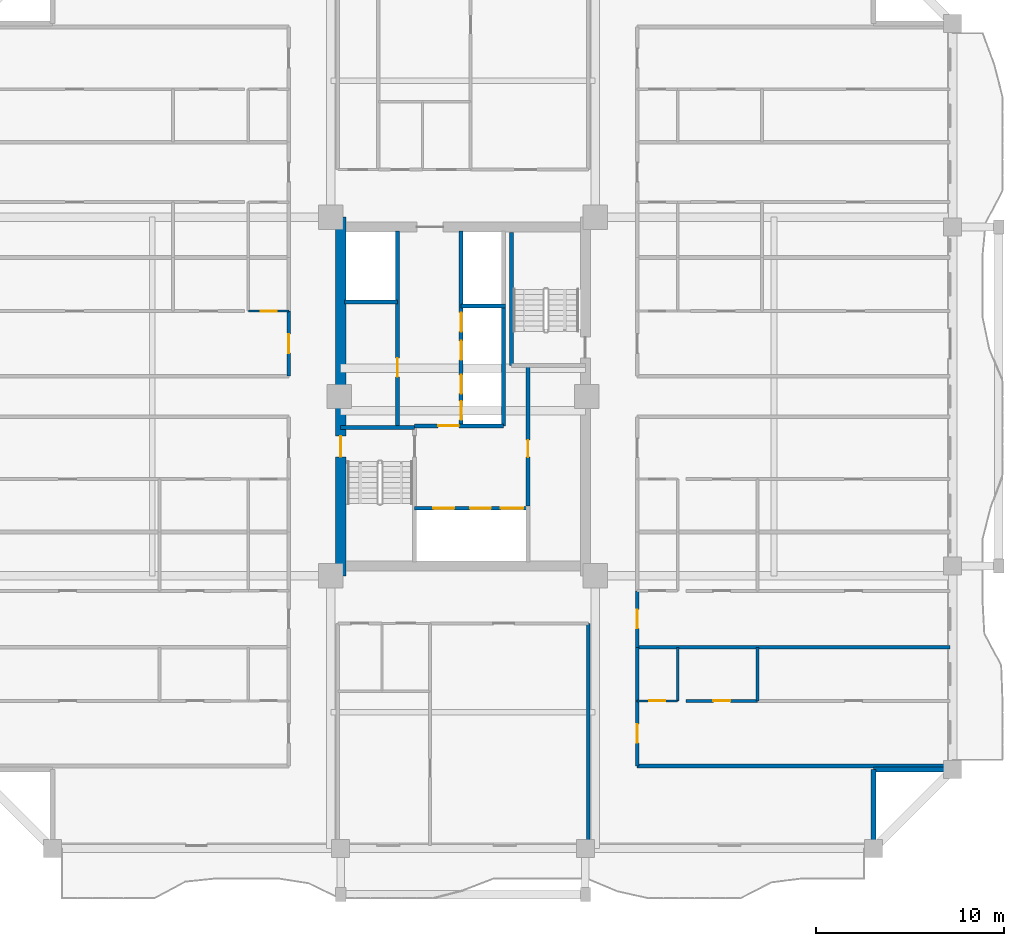
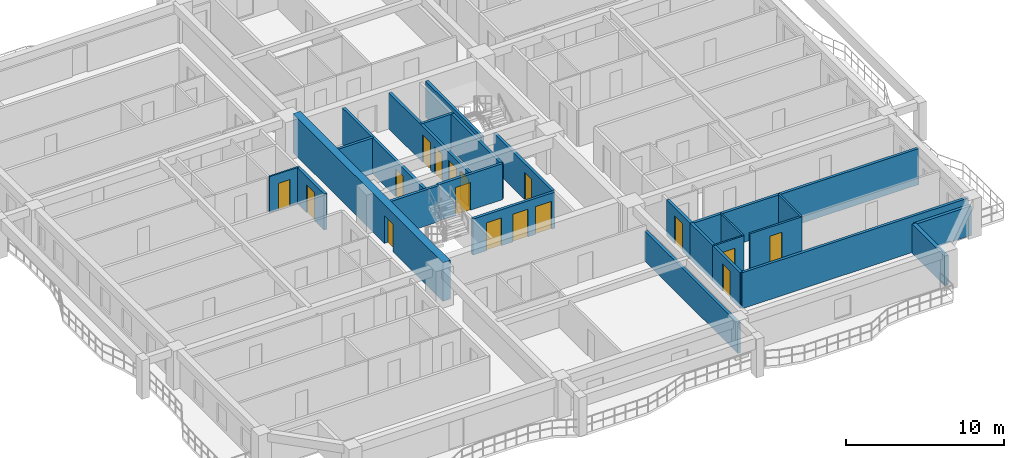
# One storey, part 4 of 13: 25 walls, 17 doors, 17 openings.
"""IFC4 building model written with IfcOpenShell, lengths in metres."""

from ifc_helpers import new_model, si_unit, direction, frame, frame_2d, origin, place, context, subcontext, project, spatial, rectangle, extrude, source, transform, mapped, material, layer, layer_set, type_object, element, fill, save


model = new_model("IFC4")

# Units and contexts
model_context = context("Model", 3, precision=1e-05, world=origin(), true_north=direction((0.0, 1.0)))
body_context = subcontext(model_context, "Body", "Model", "MODEL_VIEW")
ifc_project = project(units=[si_unit("LENGTHUNIT", "METRE"), si_unit("AREAUNIT", "SQUARE_METRE"), si_unit("VOLUMEUNIT", "CUBIC_METRE"), si_unit("PLANEANGLEUNIT", "RADIAN"), si_unit("MASSUNIT", "GRAM", prefix="KILO")], contexts=[model_context])

# Site, building, storey
site_placement = place(None, origin())
site = spatial("IfcSite", under=ifc_project, at=site_placement, CompositionType="ELEMENT")
building_placement = place(site_placement, origin())
building = spatial("IfcBuilding", under=site, at=building_placement, Name="Saelheon Loggia Tower", CompositionType="ELEMENT")
storey_placement = place(building_placement, frame((0.0, 0.0, 92.85009765625)))
storey = spatial("IfcBuildingStorey", under=building, at=storey_placement, Name="L29", CompositionType="ELEMENT", Elevation=92.85009765625)

# Wall, opening, door
ifc_material_1 = material(Name="Concrete C50/60", Category="concrete")
ifc_layer_1 = layer(ifc_material_1, 0.550048828125)
ifc_layer_set_1 = layer_set([ifc_layer_1], Name="Concrete C50/60")
wall_type_1 = type_object("IfcWallType", Name="Wall_CoreShear_550", PredefinedType="SHEAR", material=ifc_layer_set_1)
wall_1_placement = place(storey_placement, frame((31.5, 17.47998046875, 0.0), z_axis=(0.0, 0.0, 1.0), x_axis=(0.0, 1.0, 0.0)))
wall_1 = element("IfcWall", 1, at=wall_1_placement, inside=storey, type_object=wall_type_1, Name="L29 Core Shear Wall West", PredefinedType="SHEAR", context=body_context, shape_type="SweptSolid", body=[
    extrude(rectangle(XDim=19.0400390625, YDim=0.550048828125, at=frame_2d((9.52001953125, 0.0))), origin(), (0.0, 0.0, 1.0), 3.0),
])
opening_1_placement = place(wall_1_placement, frame((6.320068359375, 0.0, 0.0)))
opening_1 = element("IfcOpeningElement", 2, at=opening_1_placement, cuts=wall_1, Name="Opening D-FD2", PredefinedType="OPENING", context=body_context, shape_type="SweptSolid", body=[
    extrude(rectangle(XDim=1.10009765625, YDim=2.14990234375, at=frame_2d((0.550048828125, 1.074951171875))), frame((0.0, 0.287109375, 0.0), z_axis=(0.0, -1.0, 0.0), x_axis=(1.0, 0.0, 0.0)), (0.0, 0.0, 1.0), 0.573974609375),
])
ifc_material_2 = material(Name="Galvanised Steel Fire Door", Category="steel")
door_type_1 = type_object("IfcDoorType", Name="Door_Fire_FD60_1100", OperationType="NOTDEFINED", PredefinedType="DOOR", material=ifc_material_2)
shared_shape_1 = source(origin(), body_context, "Body", "SweptSolid", [
    extrude(rectangle(XDim=1.10009765625, YDim=2.14990234375, at=frame_2d((0.550048828125, 1.074951171875))), frame((0.0, 0.02490234375, 0.0), z_axis=(0.0, -1.0, 0.0), x_axis=(1.0, 0.0, 0.0)), (0.0, 0.0, 1.0), 0.050048828125),
])
door_1_placement = place(opening_1_placement, origin())
door_1 = element("IfcDoor", 3, at=door_1_placement, inside=storey, type_object=door_type_1, Name="L29 Stair ST1 Corridor Door", OperationType="SINGLE_SWING_LEFT", OverallHeight=2.14990234375, OverallWidth=1.10009765625, PredefinedType="DOOR", context=body_context, shape_type="MappedRepresentation", body=[
    mapped(shared_shape_1, transform((0.0, 0.0, 0.0), scale=1.0)),
])
fill(opening_1, door_1)

# Walls
ifc_material_3 = material(Name="Architectural Precast Concrete C40/50", Category="concrete")
ifc_layer_2 = layer(ifc_material_3, 0.280029296875)
ifc_layer_set_2 = layer_set([ifc_layer_2], Name="Architectural Precast Concrete C40/50")
wall_type_2 = type_object("IfcWallType", Name="Wall_Ext_Loggia_280", PredefinedType="SOLIDWALL", material=ifc_layer_set_2)
for number, where, z_axis, x_axis, name in (
    (4, (59.800048828125, 3.080078125, 0.0), (0.0, 0.0, 1.0), (0.0, 1.0, 0.0), "L29 Corner Notch Precast Wall SE1"),
    (5, (59.800048828125, 7.199951171875, 0.0), (0.0, 0.0, 1.0), (1.0, 0.0, 0.0), "L29 Corner Notch Precast Wall SE2"),
):
    element("IfcWall", number, at=place(storey_placement, frame(where, z_axis=z_axis, x_axis=x_axis)), inside=storey, type_object=wall_type_2, Name=name, PredefinedType="SOLIDWALL", context=body_context, shape_type="SweptSolid", body=[
        extrude(rectangle(XDim=4.119873046875, YDim=0.280029296875, at=frame_2d((2.06005859375, 0.0))), origin(), (0.0, 0.0, 1.0), 2.27978515625),
    ])
ifc_material_4 = material(Name="Lightweight Autoclaved Aerated Concrete Block and Acoustic Gypsum", Category="concrete")
ifc_layer_3 = layer(ifc_material_4, 0.14990234375)
ifc_layer_set_3 = layer_set([ifc_layer_3], Name="Lightweight Autoclaved Aerated Concrete Block and Acoustic Gypsum")
wall_type_3 = type_object("IfcWallType", Name="Wall_Part_150", PredefinedType="PARTITIONING", material=ifc_layer_set_3)
wall_2_placement = place(storey_placement, frame((53.639892578125, 10.83349609375, 0.0), z_axis=(0.0, 0.0, 1.0), x_axis=(0.0, 1.0, 0.0)))
element("IfcWall", 6, at=wall_2_placement, inside=storey, type_object=wall_type_3, Name="L29 ES Partition V07", PredefinedType="PARTITIONING", context=body_context, shape_type="SweptSolid", body=[
    extrude(rectangle(XDim=2.85009765625, YDim=0.14990234375, at=frame_2d((1.425048828125, 0.0))), origin(), (0.0, 0.0, 1.0), 2.789794921875),
])

# Wall, opening, door
wall_3_placement = place(storey_placement, frame((49.840087890625, 10.83349609375, 0.0), z_axis=(0.0, 0.0, 1.0), x_axis=(1.0, 0.0, 0.0)))
wall_3 = element("IfcWall", 7, at=wall_3_placement, inside=storey, type_object=wall_type_3, Name="L29 ES Partition U08", PredefinedType="PARTITIONING", context=body_context, shape_type="SweptSolid", body=[
    extrude(rectangle(XDim=3.7998046875, YDim=0.14990234375, at=frame_2d((1.89990234375, 0.0))), origin(), (0.0, 0.0, 1.0), 2.789794921875),
])
opening_2_placement = place(wall_3_placement, frame((1.449951171875, 0.0, 0.0)))
opening_2 = element("IfcOpeningElement", 8, at=opening_2_placement, cuts=wall_3, Name="Opening D-IN2", PredefinedType="OPENING", context=body_context, shape_type="SweptSolid", body=[
    extrude(rectangle(XDim=0.89990234375, YDim=2.10009765625, at=frame_2d((0.449951171875, 1.050048828125))), frame((0.0, 0.0869140625, 0.0), z_axis=(0.0, -1.0, 0.0), x_axis=(1.0, 0.0, 0.0)), (0.0, 0.0, 1.0), 0.173828125),
])
ifc_material_5 = material(Name="Engineered Oak Flush Door", Category="timber")
door_type_2 = type_object("IfcDoorType", Name="Door_Int_900", OperationType="NOTDEFINED", PredefinedType="DOOR", material=ifc_material_5)
shared_shape_2 = source(origin(), body_context, "Body", "SweptSolid", [
    extrude(rectangle(XDim=0.89990234375, YDim=2.10009765625, at=frame_2d((0.449951171875, 1.050048828125))), frame((0.0, 0.02490234375, 0.0), z_axis=(0.0, -1.0, 0.0), x_axis=(1.0, 0.0, 0.0)), (0.0, 0.0, 1.0), 0.050048828125),
])
door_2_placement = place(opening_2_placement, origin())
door_2 = element("IfcDoor", 9, at=door_2_placement, inside=storey, type_object=door_type_2, Name="Unit U07 Kitchen Door", OperationType="SINGLE_SWING_RIGHT", OverallHeight=2.10009765625, OverallWidth=0.89990234375, PredefinedType="DOOR", context=body_context, shape_type="MappedRepresentation", body=[
    mapped(shared_shape_2, transform((0.0, 0.0, 0.0), scale=1.0)),
])
fill(opening_2, door_2)

# Wall
ifc_material_6 = material(Name="Double Acoustic Stud and Fireboard Partition", Category="gypsum")
ifc_layer_4 = layer(ifc_material_6, 0.199951171875)
ifc_layer_set_4 = layer_set([ifc_layer_4], Name="Double Acoustic Stud and Fireboard Partition")
wall_type_4 = type_object("IfcWallType", Name="Wall_Party_200", PredefinedType="PARTITIONING", material=ifc_layer_set_4)
wall_4_placement = place(storey_placement, frame((44.64990234375, 14.949951171875, 0.0), z_axis=(0.0, 0.0, 1.0), x_axis=(0.0, -1.0, 0.0)))
element("IfcWall", 10, at=wall_4_placement, inside=storey, type_object=wall_type_4, Name="L29 S Partition U02", PredefinedType="PARTITIONING", context=body_context, shape_type="SweptSolid", body=[
    extrude(rectangle(XDim=11.800048828125, YDim=0.199951171875, at=frame_2d((5.89990234375, 0.0))), origin(), (0.0, 0.0, 1.0), 2.33984375),
])

# Wall, opening, door
wall_5_placement = place(storey_placement, frame((28.75, 28.080078125, 0.0), z_axis=(0.0, 0.0, 1.0), x_axis=(0.0, 1.0, 0.0)))
wall_5 = element("IfcWall", 11, at=wall_5_placement, inside=storey, type_object=wall_type_4, Name="L29 WN Partition V03", PredefinedType="PARTITIONING", context=body_context, shape_type="SweptSolid", body=[
    extrude(rectangle(XDim=3.45361328125, YDim=0.199951171875, at=frame_2d((1.726806640625, 0.0))), origin(), (0.0, 0.0, 1.0), 2.789794921875),
])
opening_3_placement = place(wall_5_placement, frame((1.226806640625, 0.0, 0.0)))
opening_3 = element("IfcOpeningElement", 12, at=opening_3_placement, cuts=wall_5, Name="Opening D-FD1", PredefinedType="OPENING", context=body_context, shape_type="SweptSolid", body=[
    extrude(rectangle(XDim=1.0, YDim=2.14990234375, at=frame_2d((0.5, 1.074951171875))), frame((0.0, 0.112060546875, 0.0), z_axis=(0.0, -1.0, 0.0), x_axis=(1.0, 0.0, 0.0)), (0.0, 0.0, 1.0), 0.223876953125),
])
ifc_material_7 = material(Name="Fire-Rated Engineered Timber Entrance Door", Category="wood")
door_type_3 = type_object("IfcDoorType", Name="Door_Flat_FD30S", OperationType="NOTDEFINED", PredefinedType="DOOR", material=ifc_material_7)
shared_shape_3 = source(origin(), body_context, "Body", "SweptSolid", [
    extrude(rectangle(XDim=1.0, YDim=2.14990234375, at=frame_2d((0.5, 1.074951171875))), frame((0.0, 0.02490234375, 0.0), z_axis=(0.0, -1.0, 0.0), x_axis=(1.0, 0.0, 0.0)), (0.0, 0.0, 1.0), 0.050048828125),
])
door_3_placement = place(opening_3_placement, origin())
door_3 = element("IfcDoor", 13, at=door_3_placement, inside=storey, type_object=door_type_3, Name="Unit U04 Entrance Door", OperationType="SINGLE_SWING_RIGHT", OverallHeight=2.14990234375, OverallWidth=1.0, PredefinedType="DOOR", context=body_context, shape_type="MappedRepresentation", body=[
    mapped(shared_shape_3, transform((0.0, 0.0, 0.0), scale=1.0)),
])
fill(opening_3, door_3)

# Wall
wall_6_placement = place(storey_placement, frame((47.25, 7.3798828125, 0.0), z_axis=(0.0, 0.0, 1.0), x_axis=(1.0, 0.0, 0.0)))
element("IfcWall", 14, at=wall_6_placement, inside=storey, type_object=wall_type_4, Name="L29 ES Partition U01", PredefinedType="PARTITIONING", context=body_context, shape_type="SweptSolid", body=[
    extrude(rectangle(XDim=16.60009765625, YDim=0.199951171875, at=frame_2d((8.300048828125, 0.0))), origin(), (0.0, 0.0, 1.0), 2.789794921875),
])

# Wall, opening, door
wall_7_placement = place(storey_placement, frame((47.25, 7.3798828125, 0.0), z_axis=(0.0, 0.0, 1.0), x_axis=(0.0, 1.0, 0.0)))
wall_7 = element("IfcWall", 15, at=wall_7_placement, inside=storey, type_object=wall_type_4, Name="L29 ES Partition V03", PredefinedType="PARTITIONING", context=body_context, shape_type="SweptSolid", body=[
    extrude(rectangle(XDim=3.45361328125, YDim=0.199951171875, at=frame_2d((1.726806640625, 0.0))), origin(), (0.0, 0.0, 1.0), 2.789794921875),
])
opening_4_placement = place(wall_7_placement, frame((1.226806640625, 0.0, 0.0)))
opening_4 = element("IfcOpeningElement", 16, at=opening_4_placement, cuts=wall_7, Name="Opening D-FD1", PredefinedType="OPENING", context=body_context, shape_type="SweptSolid", body=[
    extrude(rectangle(XDim=1.0, YDim=2.14990234375, at=frame_2d((0.5, 1.074951171875))), frame((0.0, 0.112060546875, 0.0), z_axis=(0.0, -1.0, 0.0), x_axis=(1.0, 0.0, 0.0)), (0.0, 0.0, 1.0), 0.223876953125),
])
door_4_placement = place(opening_4_placement, origin())
door_4 = element("IfcDoor", 17, at=door_4_placement, inside=storey, type_object=door_type_3, Name="Unit U07 Entrance Door", OperationType="SINGLE_SWING_RIGHT", OverallHeight=2.14990234375, OverallWidth=1.0, PredefinedType="DOOR", context=body_context, shape_type="MappedRepresentation", body=[
    mapped(shared_shape_3, transform((0.0, 0.0, 0.0), scale=1.0)),
])
fill(opening_4, door_4)

# Walls
wall_8_placement = place(storey_placement, frame((47.25, 10.83349609375, 0.0), z_axis=(0.0, 0.0, 1.0), x_axis=(0.0, 1.0, 0.0)))
element("IfcWall", 18, at=wall_8_placement, inside=storey, type_object=wall_type_4, Name="L29 ES Partition V04", PredefinedType="PARTITIONING", context=body_context, shape_type="SweptSolid", body=[
    extrude(rectangle(XDim=2.85009765625, YDim=0.199951171875, at=frame_2d((1.425048828125, 0.0))), origin(), (0.0, 0.0, 1.0), 2.789794921875),
])
wall_9_placement = place(storey_placement, frame((47.25, 13.68359375, 0.0), z_axis=(0.0, 0.0, 1.0), x_axis=(1.0, 0.0, 0.0)))
element("IfcWall", 19, at=wall_9_placement, inside=storey, type_object=wall_type_4, Name="L29 ES Partition U10", PredefinedType="PARTITIONING", context=body_context, shape_type="SweptSolid", body=[
    extrude(rectangle(XDim=16.60009765625, YDim=0.199951171875, at=frame_2d((8.300048828125, 0.0))), origin(), (0.0, 0.0, 1.0), 2.789794921875),
])

# Wall, opening, door
wall_10_placement = place(storey_placement, frame((47.25, 13.68359375, 0.0), z_axis=(0.0, 0.0, 1.0), x_axis=(0.0, 1.0, 0.0)))
wall_10 = element("IfcWall", 20, at=wall_10_placement, inside=storey, type_object=wall_type_4, Name="L29 ES Partition V11", PredefinedType="PARTITIONING", context=body_context, shape_type="SweptSolid", body=[
    extrude(rectangle(XDim=2.996337890625, YDim=0.199951171875, at=frame_2d((1.498046875, 0.0))), origin(), (0.0, 0.0, 1.0), 2.789794921875),
])
opening_5_placement = place(wall_10_placement, frame((0.998291015625, 0.0, 0.0)))
opening_5 = element("IfcOpeningElement", 21, at=opening_5_placement, cuts=wall_10, Name="Opening D-FD1", PredefinedType="OPENING", context=body_context, shape_type="SweptSolid", body=[
    extrude(rectangle(XDim=1.0, YDim=2.14990234375, at=frame_2d((0.5, 1.074951171875))), frame((0.0, 0.112060546875, 0.0), z_axis=(0.0, -1.0, 0.0), x_axis=(1.0, 0.0, 0.0)), (0.0, 0.0, 1.0), 0.223876953125),
])
door_5_placement = place(opening_5_placement, origin())
door_5 = element("IfcDoor", 22, at=door_5_placement, inside=storey, type_object=door_type_3, Name="Unit U08 Entrance Door", OperationType="SINGLE_SWING_RIGHT", OverallHeight=2.14990234375, OverallWidth=1.0, PredefinedType="DOOR", context=body_context, shape_type="MappedRepresentation", body=[
    mapped(shared_shape_3, transform((0.0, 0.0, 0.0), scale=1.0)),
])
fill(opening_5, door_5)

ifc_material_8 = material(Name="Concrete C40/50", Category="concrete")
ifc_layer_5 = layer(ifc_material_8, 0.199951171875)
ifc_layer_set_5 = layer_set([ifc_layer_5], Name="Concrete C40/50")
wall_type_5 = type_object("IfcWallType", Name="Wall_Shaft_200", PredefinedType="PARTITIONING", material=ifc_layer_set_5)
wall_11_placement = place(storey_placement, frame((41.449951171875, 21.179931640625, 0.0), z_axis=(0.0, 0.0, 1.0), x_axis=(0.0, 1.0, 0.0)))
wall_11 = element("IfcWall", 23, at=wall_11_placement, inside=storey, type_object=wall_type_5, Name="CW-INT-L29-BOH-W1", PredefinedType="PARTITIONING", context=body_context, shape_type="SweptSolid", body=[
    extrude(rectangle(XDim=7.420166015625, YDim=0.199951171875, at=frame_2d((3.7099609375, 0.0))), origin(), (0.0, 0.0, 1.0), 2.789794921875),
])
opening_6_placement = place(wall_11_placement, frame((2.60009765625, 0.0, 0.0)))
opening_6 = element("IfcOpeningElement", 24, at=opening_6_placement, cuts=wall_11, Name="Opening D-RS1", PredefinedType="OPENING", context=body_context, shape_type="SweptSolid", body=[
    extrude(rectangle(XDim=0.89990234375, YDim=2.10009765625, at=frame_2d((0.449951171875, 1.050048828125))), frame((0.0, 0.112060546875, 0.0), z_axis=(0.0, -1.0, 0.0), x_axis=(1.0, 0.0, 0.0)), (0.0, 0.0, 1.0), 0.223876953125),
])
ifc_material_9 = material(Name="Galvanised Steel Riser Access Door", Category="steel")
door_type_4 = type_object("IfcDoorType", Name="Door_Riser_FD60", OperationType="NOTDEFINED", PredefinedType="DOOR", material=ifc_material_9)
door_6_placement = place(opening_6_placement, origin())
door_6 = element("IfcDoor", 25, at=door_6_placement, inside=storey, type_object=door_type_4, Name="L29 Core Service Store Door", OperationType="SINGLE_SWING_RIGHT", OverallHeight=2.10009765625, OverallWidth=0.89990234375, PredefinedType="DOOR", context=body_context, shape_type="MappedRepresentation", body=[
    mapped(shared_shape_2, transform((0.0, 0.0, 0.0), scale=1.0)),
])
fill(opening_6, door_6)

# Wall
wall_12_placement = place(storey_placement, frame((40.14990234375, 25.43994140625, 0.0), z_axis=(0.0, 0.0, 1.0), x_axis=(0.0, 1.0, 0.0)))
element("IfcWall", 26, at=wall_12_placement, inside=storey, type_object=wall_type_5, Name="L29 Core Service Passage West Wall", PredefinedType="PARTITIONING", context=body_context, shape_type="SweptSolid", body=[
    extrude(rectangle(XDim=6.360107421875, YDim=0.199951171875, at=frame_2d((3.18017578125, 0.0))), origin(), (0.0, 0.0, 1.0), 2.789794921875),
])

# Wall, openings, doors
wall_13_placement = place(storey_placement, frame((35.429931640625, 21.06005859375, 0.0), z_axis=(0.0, 0.0, 1.0), x_axis=(1.0, 0.0, 0.0)))
wall_13 = element("IfcWall", 27, at=wall_13_placement, inside=storey, type_object=wall_type_5, Name="L29 Firefighting Lift Shaft Front Wall", PredefinedType="PARTITIONING", context=body_context, shape_type="SweptSolid", body=[
    extrude(rectangle(XDim=6.02001953125, YDim=0.199951171875, at=frame_2d((3.010009765625, 0.0))), origin(), (0.0, 0.0, 1.0), 2.789794921875),
])
opening_7_placement = place(wall_13_placement, frame((1.0, 0.0, 0.0)))
opening_7 = element("IfcOpeningElement", 28, at=opening_7_placement, cuts=wall_13, Name="Opening LD2", PredefinedType="OPENING", context=body_context, shape_type="SweptSolid", body=[
    extrude(rectangle(XDim=1.10009765625, YDim=2.14990234375, at=frame_2d((0.550048828125, 1.074951171875))), frame((0.0, 0.112060546875, 0.0), z_axis=(0.0, -1.0, 0.0), x_axis=(1.0, 0.0, 0.0)), (0.0, 0.0, 1.0), 0.223876953125),
])
opening_8_placement = place(wall_13_placement, frame((2.949951171875, 0.0, 0.0)))
opening_8 = element("IfcOpeningElement", 29, at=opening_8_placement, cuts=wall_13, Name="Opening LD2", PredefinedType="OPENING", context=body_context, shape_type="SweptSolid", body=[
    extrude(rectangle(XDim=1.10009765625, YDim=2.14990234375, at=frame_2d((0.550048828125, 1.074951171875))), frame((0.0, 0.112060546875, 0.0), z_axis=(0.0, -1.0, 0.0), x_axis=(1.0, 0.0, 0.0)), (0.0, 0.0, 1.0), 0.223876953125),
])
opening_9_placement = place(wall_13_placement, frame((4.580078125, 0.0, 0.0)))
opening_9 = element("IfcOpeningElement", 30, at=opening_9_placement, cuts=wall_13, Name="Opening LD3", PredefinedType="OPENING", context=body_context, shape_type="SweptSolid", body=[
    extrude(rectangle(XDim=1.199951171875, YDim=2.14990234375, at=frame_2d((0.60009765625, 1.074951171875))), frame((0.0, 0.112060546875, 0.0), z_axis=(0.0, -1.0, 0.0), x_axis=(1.0, 0.0, 0.0)), (0.0, 0.0, 1.0), 0.223876953125),
])
ifc_material_10 = material(Name="Firefighting Stainless Steel 316 Landing Door", Category="steel")
door_type_5 = type_object("IfcDoorType", Name="Door_Lift_LD2", OperationType="DOUBLE_DOOR_SLIDING", PredefinedType="DOOR", material=ifc_material_10)
door_7_placement = place(opening_7_placement, origin())
door_7 = element("IfcDoor", 31, at=door_7_placement, inside=storey, type_object=door_type_5, Name="L29 FF1 Landing Door", OperationType="DOUBLE_DOOR_SLIDING", OverallHeight=2.14990234375, OverallWidth=1.10009765625, PredefinedType="DOOR", context=body_context, shape_type="MappedRepresentation", body=[
    mapped(shared_shape_1, transform((0.0, 0.0, 0.0), scale=1.0)),
])
fill(opening_7, door_7)
door_8_placement = place(opening_8_placement, origin())
door_8 = element("IfcDoor", 32, at=door_8_placement, inside=storey, type_object=door_type_5, Name="L29 FF2 Landing Door", OperationType="DOUBLE_DOOR_SLIDING", OverallHeight=2.14990234375, OverallWidth=1.10009765625, PredefinedType="DOOR", context=body_context, shape_type="MappedRepresentation", body=[
    mapped(shared_shape_1, transform((0.0, 0.0, 0.0), scale=1.0)),
])
fill(opening_8, door_8)
ifc_material_11 = material(Name="Stretcher Lift Stainless Steel 304 Landing Door", Category="steel")
door_type_6 = type_object("IfcDoorType", Name="Door_Lift_LD3", OperationType="DOUBLE_DOOR_SLIDING", PredefinedType="DOOR", material=ifc_material_11)
shared_shape_4 = source(origin(), body_context, "Body", "SweptSolid", [
    extrude(rectangle(XDim=1.199951171875, YDim=2.14990234375, at=frame_2d((0.60009765625, 1.074951171875))), frame((0.0, 0.02490234375, 0.0), z_axis=(0.0, -1.0, 0.0), x_axis=(1.0, 0.0, 0.0)), (0.0, 0.0, 1.0), 0.050048828125),
])
door_9_placement = place(opening_9_placement, origin())
door_9 = element("IfcDoor", 33, at=door_9_placement, inside=storey, type_object=door_type_6, Name="L29 SV1 Landing Door", OperationType="DOUBLE_DOOR_SLIDING", OverallHeight=2.14990234375, OverallWidth=1.199951171875, PredefinedType="DOOR", context=body_context, shape_type="MappedRepresentation", body=[
    mapped(shared_shape_4, transform((0.0, 0.0, 0.0), scale=1.0)),
])
fill(opening_9, door_9)

# Wall, opening, door
wall_14_placement = place(storey_placement, frame((35.429931640625, 25.43994140625, 0.0), z_axis=(0.0, 0.0, 1.0), x_axis=(1.0, 0.0, 0.0)))
wall_14 = element("IfcWall", 34, at=wall_14_placement, inside=storey, type_object=wall_type_5, Name="L29 Firefighting Lobby Compartment Wall", PredefinedType="PARTITIONING", context=body_context, shape_type="SweptSolid", body=[
    extrude(rectangle(XDim=4.719970703125, YDim=0.199951171875, at=frame_2d((2.35986328125, 0.0))), origin(), (0.0, 0.0, 1.0), 2.789794921875),
])
opening_10_placement = place(wall_14_placement, frame((1.25, 0.0, 0.0)))
opening_10 = element("IfcOpeningElement", 35, at=opening_10_placement, cuts=wall_14, Name="Opening D-FD2", PredefinedType="OPENING", context=body_context, shape_type="SweptSolid", body=[
    extrude(rectangle(XDim=1.10009765625, YDim=2.14990234375, at=frame_2d((0.550048828125, 1.074951171875))), frame((0.0, 0.112060546875, 0.0), z_axis=(0.0, -1.0, 0.0), x_axis=(1.0, 0.0, 0.0)), (0.0, 0.0, 1.0), 0.223876953125),
])
door_10_placement = place(opening_10_placement, origin())
door_10 = element("IfcDoor", 36, at=door_10_placement, inside=storey, type_object=door_type_1, Name="L29 Firefighting Lobby Door", OperationType="SINGLE_SWING_LEFT", OverallHeight=2.14990234375, OverallWidth=1.10009765625, PredefinedType="DOOR", context=body_context, shape_type="MappedRepresentation", body=[
    mapped(shared_shape_1, transform((0.0, 0.0, 0.0), scale=1.0)),
])
fill(opening_10, door_10)

wall_15_placement = place(storey_placement, frame((34.52001953125, 25.43994140625, 0.0), z_axis=(0.0, 0.0, 1.0), x_axis=(0.0, 1.0, 0.0)))
wall_15 = element("IfcWall", 37, at=wall_15_placement, inside=storey, type_object=wall_type_5, Name="L29 West Passenger Lift Bank Wall", PredefinedType="PARTITIONING", context=body_context, shape_type="SweptSolid", body=[
    extrude(rectangle(XDim=10.340087890625, YDim=0.199951171875, at=frame_2d((5.169921875, 0.0))), origin(), (0.0, 0.0, 1.0), 2.789794921875),
])
opening_11_placement = place(wall_15_placement, frame((2.60009765625, 0.0, 0.0)))
opening_11 = element("IfcOpeningElement", 38, at=opening_11_placement, cuts=wall_15, Name="Opening LD1", PredefinedType="OPENING", context=body_context, shape_type="SweptSolid", body=[
    extrude(rectangle(XDim=1.0, YDim=2.14990234375, at=frame_2d((0.5, 1.074951171875))), frame((0.0, 0.112060546875, 0.0), z_axis=(0.0, -1.0, 0.0), x_axis=(1.0, 0.0, 0.0)), (0.0, 0.0, 1.0), 0.223876953125),
])
ifc_material_12 = material(Name="Brushed Stainless Steel 304 Landing Door", Category="steel")
door_type_7 = type_object("IfcDoorType", Name="Door_Lift_LD1", OperationType="DOUBLE_DOOR_SLIDING", PredefinedType="DOOR", material=ifc_material_12)
door_11_placement = place(opening_11_placement, origin())
door_11 = element("IfcDoor", 39, at=door_11_placement, inside=storey, type_object=door_type_7, Name="L29 Low-Rise Lift Landing Door Overrun", OperationType="DOUBLE_DOOR_SLIDING", OverallHeight=2.14990234375, OverallWidth=1.0, PredefinedType="DOOR", context=body_context, shape_type="MappedRepresentation", body=[
    mapped(shared_shape_3, transform((0.0, 0.0, 0.0), scale=1.0)),
])
fill(opening_11, door_11)

# Wall
wall_16_placement = place(storey_placement, frame((31.719970703125, 32.02001953125, 0.0), z_axis=(0.0, 0.0, 1.0), x_axis=(1.0, 0.0, 0.0)))
element("IfcWall", 40, at=wall_16_placement, inside=storey, type_object=wall_type_5, Name="L29 West High-Rise Shaft Divider", PredefinedType="PARTITIONING", context=body_context, shape_type="SweptSolid", body=[
    extrude(rectangle(XDim=2.800048828125, YDim=0.199951171875, at=frame_2d((1.39990234375, 0.0))), origin(), (0.0, 0.0, 1.0), 2.789794921875),
])

# Wall, openings, doors
wall_17_placement = place(storey_placement, frame((37.89990234375, 25.43994140625, 0.0), z_axis=(0.0, 0.0, 1.0), x_axis=(0.0, 1.0, 0.0)))
wall_17 = element("IfcWall", 41, at=wall_17_placement, inside=storey, type_object=wall_type_5, Name="L29 East Passenger Lift Bank Wall", PredefinedType="PARTITIONING", context=body_context, shape_type="SweptSolid", body=[
    extrude(rectangle(XDim=10.340087890625, YDim=0.199951171875, at=frame_2d((5.169921875, 0.0))), origin(), (0.0, 0.0, 1.0), 2.789794921875),
])
opening_12_placement = place(wall_17_placement, frame((0.320068359375, 0.0, 0.0)))
opening_12 = element("IfcOpeningElement", 42, at=opening_12_placement, cuts=wall_17, Name="Opening LD1", PredefinedType="OPENING", context=body_context, shape_type="SweptSolid", body=[
    extrude(rectangle(XDim=1.0, YDim=2.14990234375, at=frame_2d((0.5, 1.074951171875))), frame((0.0, 0.112060546875, 0.0), z_axis=(0.0, -1.0, 0.0), x_axis=(1.0, 0.0, 0.0)), (0.0, 0.0, 1.0), 0.223876953125),
])
opening_13_placement = place(wall_17_placement, frame((1.7099609375, 0.0, 0.0)))
opening_13 = element("IfcOpeningElement", 43, at=opening_13_placement, cuts=wall_17, Name="Opening LD1", PredefinedType="OPENING", context=body_context, shape_type="SweptSolid", body=[
    extrude(rectangle(XDim=1.0, YDim=2.14990234375, at=frame_2d((0.5, 1.074951171875))), frame((0.0, 0.112060546875, 0.0), z_axis=(0.0, -1.0, 0.0), x_axis=(1.0, 0.0, 0.0)), (0.0, 0.0, 1.0), 0.223876953125),
])
opening_14_placement = place(wall_17_placement, frame((3.510009765625, 0.0, 0.0)))
opening_14 = element("IfcOpeningElement", 44, at=opening_14_placement, cuts=wall_17, Name="Opening LD1", PredefinedType="OPENING", context=body_context, shape_type="SweptSolid", body=[
    extrude(rectangle(XDim=1.0, YDim=2.14990234375, at=frame_2d((0.5, 1.074951171875))), frame((0.0, 0.112060546875, 0.0), z_axis=(0.0, -1.0, 0.0), x_axis=(1.0, 0.0, 0.0)), (0.0, 0.0, 1.0), 0.223876953125),
])
opening_15_placement = place(wall_17_placement, frame((5.010009765625, 0.0, 0.0)))
opening_15 = element("IfcOpeningElement", 45, at=opening_15_placement, cuts=wall_17, Name="Opening LD1", PredefinedType="OPENING", context=body_context, shape_type="SweptSolid", body=[
    extrude(rectangle(XDim=1.0, YDim=2.14990234375, at=frame_2d((0.5, 1.074951171875))), frame((0.0, 0.112060546875, 0.0), z_axis=(0.0, -1.0, 0.0), x_axis=(1.0, 0.0, 0.0)), (0.0, 0.0, 1.0), 0.223876953125),
])
door_12_placement = place(opening_12_placement, origin())
door_12 = element("IfcDoor", 46, at=door_12_placement, inside=storey, type_object=door_type_7, Name="L29 PM1 Landing Door", OperationType="DOUBLE_DOOR_SLIDING", OverallHeight=2.14990234375, OverallWidth=1.0, PredefinedType="DOOR", context=body_context, shape_type="MappedRepresentation", body=[
    mapped(shared_shape_3, transform((0.0, 0.0, 0.0), scale=1.0)),
])
fill(opening_12, door_12)
door_13_placement = place(opening_13_placement, origin())
door_13 = element("IfcDoor", 47, at=door_13_placement, inside=storey, type_object=door_type_7, Name="L29 PM2 Landing Door", OperationType="DOUBLE_DOOR_SLIDING", OverallHeight=2.14990234375, OverallWidth=1.0, PredefinedType="DOOR", context=body_context, shape_type="MappedRepresentation", body=[
    mapped(shared_shape_3, transform((0.0, 0.0, 0.0), scale=1.0)),
])
fill(opening_13, door_13)
door_14_placement = place(opening_14_placement, origin())
door_14 = element("IfcDoor", 48, at=door_14_placement, inside=storey, type_object=door_type_7, Name="L29 PM3 Landing Door", OperationType="DOUBLE_DOOR_SLIDING", OverallHeight=2.14990234375, OverallWidth=1.0, PredefinedType="DOOR", context=body_context, shape_type="MappedRepresentation", body=[
    mapped(shared_shape_3, transform((0.0, 0.0, 0.0), scale=1.0)),
])
fill(opening_14, door_14)
door_15_placement = place(opening_15_placement, origin())
door_15 = element("IfcDoor", 49, at=door_15_placement, inside=storey, type_object=door_type_7, Name="L29 PM4 Landing Door", OperationType="DOUBLE_DOOR_SLIDING", OverallHeight=2.14990234375, OverallWidth=1.0, PredefinedType="DOOR", context=body_context, shape_type="MappedRepresentation", body=[
    mapped(shared_shape_3, transform((0.0, 0.0, 0.0), scale=1.0)),
])
fill(opening_15, door_15)

# Walls
wall_18_placement = place(storey_placement, frame((37.89990234375, 31.800048828125, 0.0), z_axis=(0.0, 0.0, 1.0), x_axis=(1.0, 0.0, 0.0)))
element("IfcWall", 50, at=wall_18_placement, inside=storey, type_object=wall_type_5, Name="L29 East High-Rise Shaft Divider", PredefinedType="PARTITIONING", context=body_context, shape_type="SweptSolid", body=[
    extrude(rectangle(XDim=2.35009765625, YDim=0.199951171875, at=frame_2d((1.175048828125, 0.0))), origin(), (0.0, 0.0, 1.0), 2.789794921875),
])
ifc_material_13 = material(Name="Concrete C45/55", Category="concrete")
ifc_layer_6 = layer(ifc_material_13, 0.199951171875)
ifc_layer_set_6 = layer_set([ifc_layer_6], Name="Concrete C45/55")
wall_type_6 = type_object("IfcWallType", Name="Wall_StairShaft_RC200", PredefinedType="SOLIDWALL", material=ifc_layer_set_6)
wall_19_placement = place(storey_placement, frame((31.5, 25.35009765625, 0.0), z_axis=(0.0, 0.0, 1.0), x_axis=(1.0, 0.0, 0.0)))
element("IfcWall", 51, at=wall_19_placement, inside=storey, type_object=wall_type_6, Name="L29 Stair ST1 North Wall", PredefinedType="SOLIDWALL", context=body_context, shape_type="SweptSolid", body=[
    extrude(rectangle(XDim=3.929931640625, YDim=0.199951171875, at=frame_2d((1.96484375, 0.0))), origin(), (0.0, 0.0, 1.0), 2.789794921875),
])
wall_20_placement = place(storey_placement, frame((40.570068359375, 28.64990234375, 0.0), z_axis=(0.0, 0.0, 1.0), x_axis=(0.0, 1.0, 0.0)))
element("IfcWall", 52, at=wall_20_placement, inside=storey, type_object=wall_type_6, Name="L29 Stair ST2 Shaft Wall", PredefinedType="SOLIDWALL", context=body_context, shape_type="SweptSolid", body=[
    extrude(rectangle(XDim=7.050048828125, YDim=0.199951171875, at=frame_2d((3.52490234375, 0.0))), origin(), (0.0, 0.0, 1.0), 2.789794921875),
])

# Wall, opening, door
ifc_material_14 = material(Name="Moisture-Resistant Cement Board Partition", Category="gypsum")
ifc_layer_7 = layer(ifc_material_14, 0.1201171875)
ifc_layer_set_7 = layer_set([ifc_layer_7], Name="Moisture-Resistant Cement Board Partition")
wall_type_7 = type_object("IfcWallType", Name="Wall_WetPart_120", PredefinedType="PARTITIONING", material=ifc_layer_set_7)
wall_21_placement = place(storey_placement, frame((28.75, 31.53369140625, 0.0), z_axis=(0.0, 0.0, 1.0), x_axis=(-1.0, 0.0, 0.0)))
wall_21 = element("IfcWall", 53, at=wall_21_placement, inside=storey, type_object=wall_type_7, Name="L29 WN Partition U05", PredefinedType="PARTITIONING", context=body_context, shape_type="SweptSolid", body=[
    extrude(rectangle(XDim=2.14990234375, YDim=0.1201171875, at=frame_2d((1.074951171875, 0.0))), origin(), (0.0, 0.0, 1.0), 2.789794921875),
])
opening_16_placement = place(wall_21_placement, frame((0.64990234375, 0.0, 0.0)))
opening_16 = element("IfcOpeningElement", 54, at=opening_16_placement, cuts=wall_21, Name="Opening D-BT1", PredefinedType="OPENING", context=body_context, shape_type="SweptSolid", body=[
    extrude(rectangle(XDim=0.85009765625, YDim=2.050048828125, at=frame_2d((0.425048828125, 1.02490234375))), frame((0.0, 0.072021484375, 0.0), z_axis=(0.0, -1.0, 0.0), x_axis=(1.0, 0.0, 0.0)), (0.0, 0.0, 1.0), 0.14404296875),
])
ifc_material_15 = material(Name="Moisture-Resistant Laminate Timber Door", Category="wood")
door_type_8 = type_object("IfcDoorType", Name="Door_Bath_850", OperationType="NOTDEFINED", PredefinedType="DOOR", material=ifc_material_15)
shared_shape_5 = source(origin(), body_context, "Body", "SweptSolid", [
    extrude(rectangle(XDim=0.85009765625, YDim=2.050048828125, at=frame_2d((0.425048828125, 1.02490234375))), frame((0.0, 0.02490234375, 0.0), z_axis=(0.0, -1.0, 0.0), x_axis=(1.0, 0.0, 0.0)), (0.0, 0.0, 1.0), 0.050048828125),
])
door_16_placement = place(opening_16_placement, origin())
door_16 = element("IfcDoor", 55, at=door_16_placement, inside=storey, type_object=door_type_8, Name="Unit U04 Bathroom Door", OperationType="SINGLE_SWING_LEFT", OverallHeight=2.050048828125, OverallWidth=0.85009765625, PredefinedType="DOOR", context=body_context, shape_type="MappedRepresentation", body=[
    mapped(shared_shape_5, transform((0.0, 0.0, 0.0), scale=1.0)),
])
fill(opening_16, door_16)

wall_22_placement = place(storey_placement, frame((47.25, 10.83349609375, 0.0), z_axis=(0.0, 0.0, 1.0), x_axis=(1.0, 0.0, 0.0)))
wall_22 = element("IfcWall", 56, at=wall_22_placement, inside=storey, type_object=wall_type_7, Name="L29 ES Partition U05", PredefinedType="PARTITIONING", context=body_context, shape_type="SweptSolid", body=[
    extrude(rectangle(XDim=2.14990234375, YDim=0.1201171875, at=frame_2d((1.074951171875, 0.0))), origin(), (0.0, 0.0, 1.0), 2.789794921875),
])
opening_17_placement = place(wall_22_placement, frame((0.64990234375, 0.0, 0.0)))
opening_17 = element("IfcOpeningElement", 57, at=opening_17_placement, cuts=wall_22, Name="Opening D-BT1", PredefinedType="OPENING", context=body_context, shape_type="SweptSolid", body=[
    extrude(rectangle(XDim=0.85009765625, YDim=2.050048828125, at=frame_2d((0.425048828125, 1.02490234375))), frame((0.0, 0.072021484375, 0.0), z_axis=(0.0, -1.0, 0.0), x_axis=(1.0, 0.0, 0.0)), (0.0, 0.0, 1.0), 0.14404296875),
])
door_17_placement = place(opening_17_placement, origin())
door_17 = element("IfcDoor", 58, at=door_17_placement, inside=storey, type_object=door_type_8, Name="Unit U07 Bathroom Door", OperationType="SINGLE_SWING_LEFT", OverallHeight=2.050048828125, OverallWidth=0.85009765625, PredefinedType="DOOR", context=body_context, shape_type="MappedRepresentation", body=[
    mapped(shared_shape_5, transform((0.0, 0.0, 0.0), scale=1.0)),
])
fill(opening_17, door_17)

# Wall
wall_23_placement = place(storey_placement, frame((49.39990234375, 10.83349609375, 0.0), z_axis=(0.0, 0.0, 1.0), x_axis=(0.0, 1.0, 0.0)))
element("IfcWall", 59, at=wall_23_placement, inside=storey, type_object=wall_type_7, Name="L29 ES Partition V06", PredefinedType="PARTITIONING", context=body_context, shape_type="SweptSolid", body=[
    extrude(rectangle(XDim=2.85009765625, YDim=0.1201171875, at=frame_2d((1.425048828125, 0.0))), origin(), (0.0, 0.0, 1.0), 2.789794921875),
])

save(model, "model.ifc")
